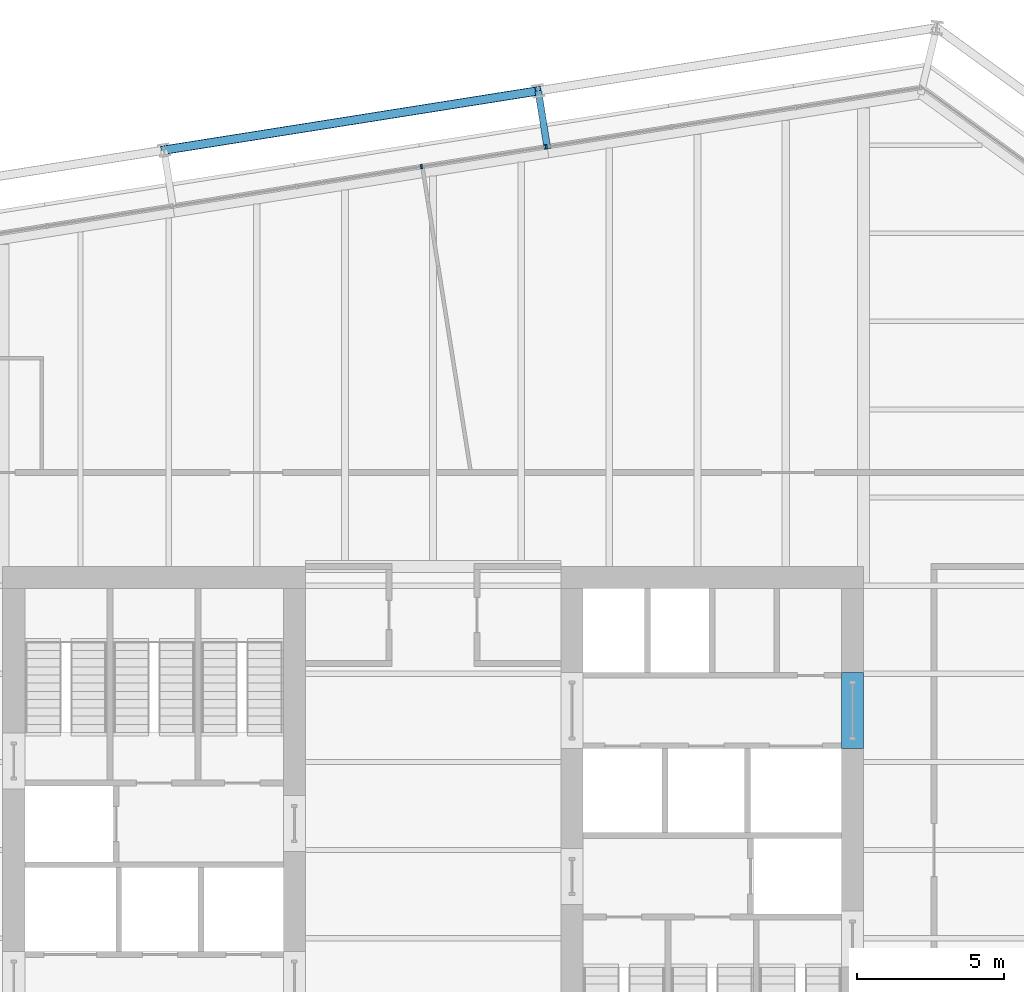
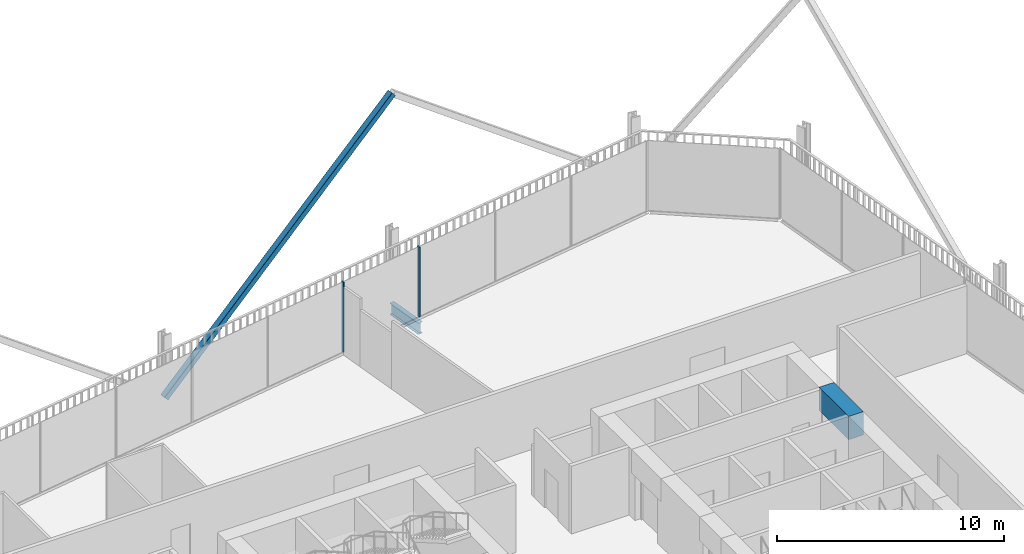
# One storey, part 13 of 22: 3 members, 2 beams, 1 element without a shape of its own.
"""IFC4 building model written with IfcOpenShell, lengths in metres."""

from ifc_helpers import new_model, si_unit, direction, frame, origin, origin_2d, place, context, subcontext, project, spatial, rectangle, hollow_rectangle, i_section, extrude, material, layer, layer_set, material_profile, profile_set, type_object, element, aggregate, save


model = new_model("IFC4")

# Units and contexts
model_context = context("Model", 3, precision=1e-05, world=origin(), true_north=direction((0.0, 1.0)))
body_context = subcontext(model_context, "Body", "Model", "MODEL_VIEW")
ifc_project = project(units=[si_unit("LENGTHUNIT", "METRE"), si_unit("AREAUNIT", "SQUARE_METRE"), si_unit("VOLUMEUNIT", "CUBIC_METRE"), si_unit("PLANEANGLEUNIT", "RADIAN"), si_unit("MASSUNIT", "GRAM", prefix="KILO")], contexts=[model_context])

# Site, building, storey
site_placement = place(None, origin())
site = spatial("IfcSite", under=ifc_project, at=site_placement, CompositionType="ELEMENT")
building_placement = place(site_placement, origin())
building = spatial("IfcBuilding", under=site, at=building_placement, Name="Millrace Tower", CompositionType="ELEMENT")
storey_placement = place(building_placement, frame((0.0, 0.0, 168.5)))
storey = spatial("IfcBuildingStorey", under=building, at=storey_placement, Name="L38", CompositionType="ELEMENT", Elevation=168.5)

# Curtain wall, members
ifc_material_1 = material(Name="Aluminium and glass", Category="aluminium")
ifc_layer = layer(ifc_material_1, 0.14990234375)
ifc_layer_set = layer_set([ifc_layer], Name="Aluminium and glass")
curtain_wall_type = type_object("IfcCurtainWallType", Name="CW-1 office vision curtain wall", PredefinedType="NOTDEFINED", material=ifc_layer_set)
curtain_wall_placement = place(storey_placement, origin())
curtain_wall = element("IfcCurtainWall", 1, at=curtain_wall_placement, inside=storey, type_object=curtain_wall_type, Name="Curtain wall C-F06 L38", PredefinedType="NOTDEFINED")
ifc_material_2 = material(Name="Aluminium", Category="aluminium")
ifc_material_profile_1 = material_profile(ifc_material_2, rectangle(XDim=0.06494140625, YDim=0.14990234375, at=origin_2d()))
ifc_profile_set_1 = profile_set([ifc_material_profile_1], Name="Aluminium")
member_type_1 = type_object("IfcMemberType", Name="CW-1 office vision curtain wall mullion", PredefinedType="MULLION", material=ifc_profile_set_1)
member_1_placement = place(storey_placement, frame((3.8505859375, 23.938720703125, 0.139892578125), z_axis=(0.0, 0.0, 1.0), x_axis=(-0.98768833929, -0.15643447328, 0.0)))
member_1 = element("IfcMember", 2, at=member_1_placement, type_object=member_type_1, Name="CW1 mullion C-F06.4", PredefinedType="MULLION", context=body_context, shape_type="SweptSolid", body=[
    extrude(rectangle(XDim=0.06494140625, YDim=0.14990234375, at=origin_2d()), origin(), (0.0, 0.0, 1.0), 3.760009765625),
])
member_2_placement = place(storey_placement, frame((-0.396484375, 23.26611328125, 0.139892578125), z_axis=(0.0, 0.0, 1.0), x_axis=(-0.98768833929, -0.15643447328, 0.0)))
member_2 = element("IfcMember", 3, at=member_2_placement, type_object=member_type_1, Name="CW1 mullion C-F06.5", PredefinedType="MULLION", context=body_context, shape_type="SweptSolid", body=[
    extrude(rectangle(XDim=0.06494140625, YDim=0.14990234375, at=origin_2d()), origin(), (0.0, 0.0, 1.0), 3.760009765625),
])
aggregate(curtain_wall, [member_1, member_2])

# Beam
ifc_material_3 = material(Name="Concrete C70", Category="concrete")
ifc_material_profile_2 = material_profile(ifc_material_3, rectangle(XDim=0.75, YDim=1.25, at=origin_2d()))
ifc_profile_set_2 = profile_set([ifc_material_profile_2], Name="Concrete C70")
beam_type_1 = type_object("IfcBeamType", Name="Coupling beam 750 x 1250 Concrete C70, 2000 opening", PredefinedType="BEAM", material=ifc_profile_set_2)
beam_1_placement = place(storey_placement, frame((14.27490234375, 6.050048828125, 3.02490234375), z_axis=(0.0, -1.0, 0.0), x_axis=(1.0, 0.0, 0.0)))
element("IfcBeam", 4, at=beam_1_placement, inside=storey, type_object=beam_type_1, Name="Coupling beam E L38", PredefinedType="BEAM", context=body_context, shape_type="SweptSolid", body=[
    extrude(rectangle(XDim=0.75, YDim=1.25, at=origin_2d()), origin(), (0.0, 0.0, 1.0), 2.60009765625),
])

# Member
ifc_material_4 = material(Name="Steel ASTM A500 Grade C", Category="steel")
ifc_material_profile_3 = material_profile(ifc_material_4, hollow_rectangle(XDim=0.3046875, YDim=0.3046875, WallThickness=0.0126953125, InnerFilletRadius=0.00634765625, OuterFilletRadius=0.01904296875, at=origin_2d()))
ifc_profile_set_3 = profile_set([ifc_material_profile_3], Name="Steel ASTM A500 Grade C")
member_type_2 = type_object("IfcMemberType", Name="Exoskeleton brace HSS12x12x1/2", PredefinedType="BRACE", material=ifc_profile_set_3)
member_3_placement = place(storey_placement, frame((-9.15966796875, 23.8271484375, 0.39990234375), z_axis=(0.760206461227, 0.12039369974, 0.638428925858), x_axis=(-0.15642030113, 0.987690583834, 0.0)))
element("IfcMember", 5, at=member_3_placement, inside=storey, type_object=member_type_2, Name="BRC-C-L38-11", PredefinedType="BRACE", context=body_context, shape_type="SweptSolid", body=[
    extrude(hollow_rectangle(XDim=0.3046875, YDim=0.3046875, WallThickness=0.0126953125, InnerFilletRadius=0.00634765625, OuterFilletRadius=0.01904296875, at=origin_2d()), origin(), (0.0, 0.0, 1.0), 16.76025390625),
])

# Beam
ifc_material_5 = material(Name="Steel ASTM A992 Grade 50", Category="steel")
ifc_material_profile_4 = material_profile(ifc_material_5, i_section(OverallWidth=0.23046875, OverallDepth=0.6171875, WebThickness=0.01318359375, FlangeThickness=0.022216796875, FilletRadius=0.012939453125, at=origin_2d()))
ifc_profile_set_4 = profile_set([ifc_material_profile_4], Name="Steel ASTM A992 Grade 50")
beam_type_2 = type_object("IfcBeamType", Name="Link beam W24x94", PredefinedType="BEAM", material=ifc_profile_set_4)
beam_2_placement = place(storey_placement, frame((3.894287109375, 23.86962890625, -0.468505859375), z_axis=(-0.15637629034, 0.987697552806, 0.0), x_axis=(-0.987697552806, -0.15637629034, 0.0)))
element("IfcBeam", 6, at=beam_2_placement, inside=storey, type_object=beam_type_2, Name="LNK-C-L38-S1-07", PredefinedType="BEAM", context=body_context, shape_type="SweptSolid", body=[
    extrude(i_section(OverallWidth=0.23046875, OverallDepth=0.6171875, WebThickness=0.01318359375, FlangeThickness=0.022216796875, FilletRadius=0.012939453125, at=origin_2d()), origin(), (0.0, 0.0, 1.0), 2.0),
])

save(model, "model.ifc")
